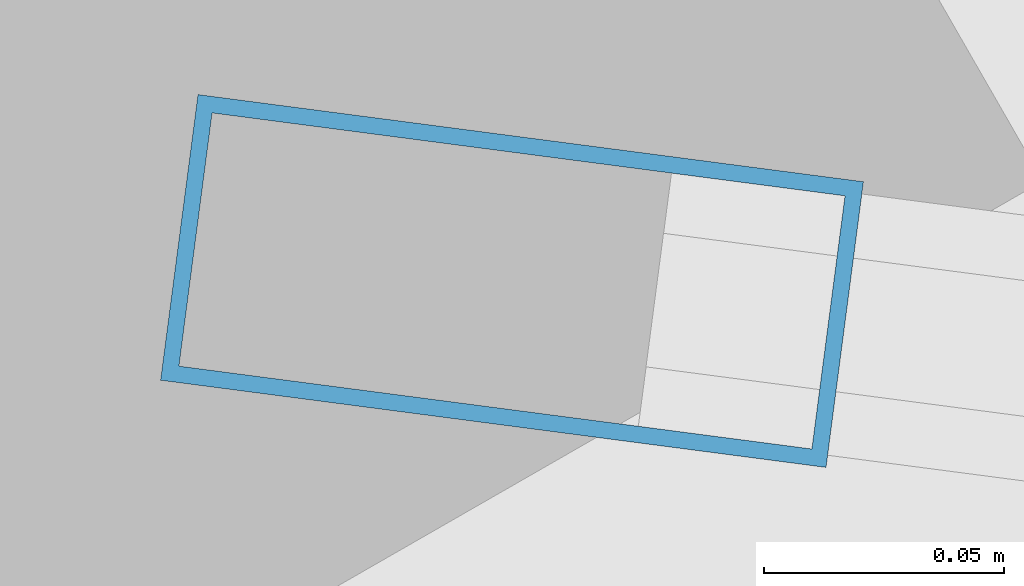
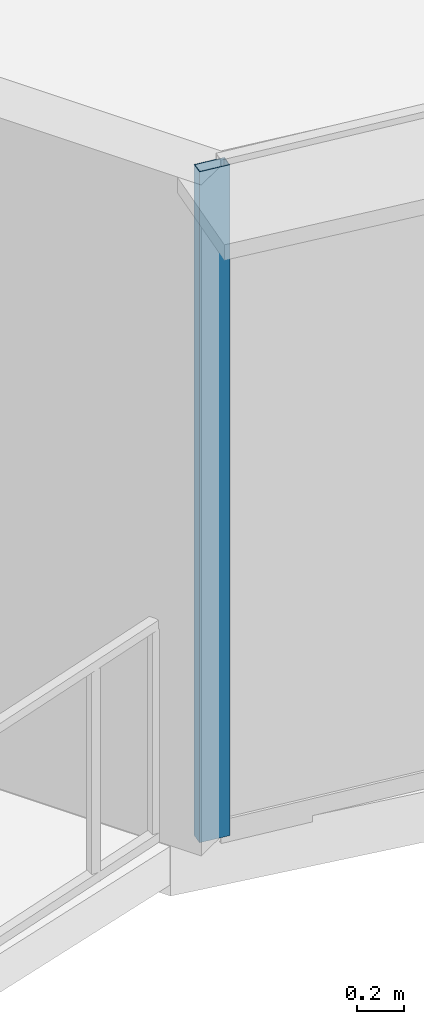
# One storey, part 2 of 33: 1 member, 1 element without a shape of its own.
"""IFC4 building model written with IfcOpenShell, lengths in metres."""

from ifc_helpers import new_model, si_unit, direction, frame, origin, origin_2d, place, context, subcontext, project, spatial, hollow_rectangle, extrude, source, transform, mapped, material, layer, layer_set, material_profile, profile_set, type_object, element, aggregate, save


model = new_model("IFC4")

# Units and contexts
model_context = context("Model", 3, precision=1e-05, world=origin(), true_north=direction((0.0, 1.0)))
body_context = subcontext(model_context, "Body", "Model", "MODEL_VIEW")
ifc_project = project(units=[si_unit("LENGTHUNIT", "METRE"), si_unit("AREAUNIT", "SQUARE_METRE"), si_unit("VOLUMEUNIT", "CUBIC_METRE"), si_unit("PLANEANGLEUNIT", "RADIAN"), si_unit("MASSUNIT", "GRAM", prefix="KILO"), si_unit("THERMODYNAMICTEMPERATUREUNIT", "KELVIN"), si_unit("POWERUNIT", "WATT")], contexts=[model_context])

# Site, building, storey
site_placement = place(None, origin())
site = spatial("IfcSite", under=ifc_project, at=site_placement, CompositionType="ELEMENT")
building_placement = place(site_placement, origin())
building = spatial("IfcBuilding", under=site, at=building_placement, Name="Yunzhuo Pagoda Commons", CompositionType="ELEMENT")
storey_placement = place(building_placement, frame((0.0, 0.0, 307.39990234375)))
storey = spatial("IfcBuildingStorey", under=building, at=storey_placement, Name="L77", CompositionType="ELEMENT", Elevation=307.39990234375)

# Curtain wall, member
ifc_material = material(Name="Anodized aluminium 6063-T6", Category="aluminium")
ifc_layer = layer(ifc_material, 0.139892578125)
ifc_layer_set = layer_set([ifc_layer], Name="Anodized aluminium 6063-T6")
curtain_wall_type = type_object("IfcCurtainWallType", Name="CW-HI High-Zone Ribbon Curtain Wall", PredefinedType="NOTDEFINED", material=ifc_layer_set)
curtain_wall_placement = place(storey_placement, origin())
curtain_wall = element("IfcCurtainWall", 1, at=curtain_wall_placement, inside=storey, type_object=curtain_wall_type, Name="L77 curtain wall CW-L77-F1B1", PredefinedType="NOTDEFINED")
ifc_material_profile = material_profile(ifc_material, hollow_rectangle(XDim=0.06005859375, YDim=0.139892578125, WallThickness=0.00341796875, at=origin_2d()), Name="Anodized aluminium 6063-T6")
ifc_profile_set = profile_set([ifc_material_profile], Name="Anodized aluminium 6063-T6")
member_type = type_object("IfcMemberType", Name="CW-HI-M Mullion RHS 140x60x3.5", PredefinedType="MULLION", material=ifc_profile_set)
shared_shape = source(origin(), body_context, "Body", "SweptSolid", [
    extrude(hollow_rectangle(XDim=0.06005859375, YDim=0.139892578125, WallThickness=0.00341796875, at=origin_2d()), origin(), (0.0, 0.0, 1.0), 3.47021484375),
])
member_placement = place(storey_placement, frame((20.662841796875, 22.013916015625, 0.0), z_axis=(0.0, 0.0, 1.0), x_axis=(0.129855071238, 0.991532985066, 0.0)))
member = element("IfcMember", 2, at=member_placement, type_object=member_type, Name="CW mullion 1", PredefinedType="MULLION", context=body_context, shape_type="MappedRepresentation", body=[
    mapped(shared_shape, transform((0.0, 0.0, 0.0), scale=1.0)),
])
aggregate(curtain_wall, [member])

save(model, "model.ifc")
